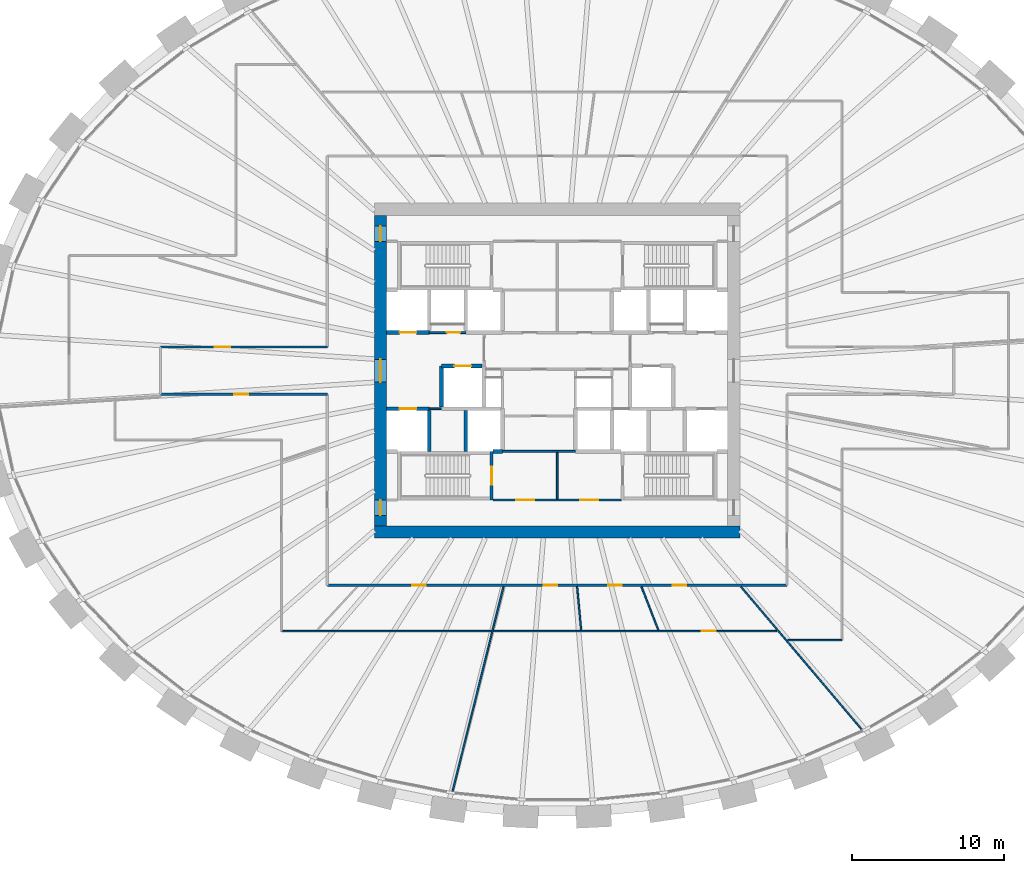
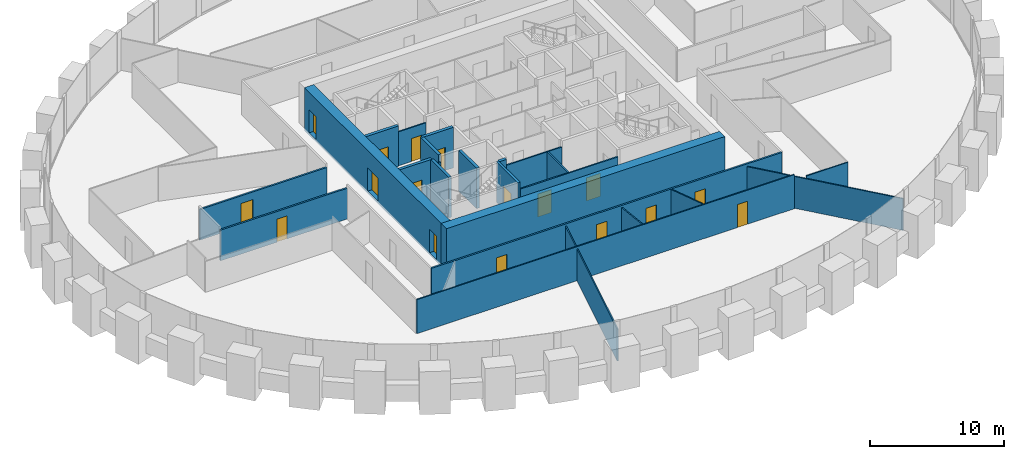
# One storey, part 6 of 10: 24 walls, 17 doors, 17 openings.
"""IFC4 building model written with IfcOpenShell, lengths in metres."""

from ifc_helpers import new_model, si_unit, direction, frame, frame_2d, origin, place, context, subcontext, project, spatial, rectangle, extrude, source, transform, mapped, material, layer, layer_set, type_object, element, fill, save


model = new_model("IFC4")

# Units and contexts
model_context = context("Model", 3, precision=1e-05, world=origin(), true_north=direction((0.0, 1.0)))
body_context = subcontext(model_context, "Body", "Model", "MODEL_VIEW")
ifc_project = project(units=[si_unit("LENGTHUNIT", "METRE"), si_unit("AREAUNIT", "SQUARE_METRE"), si_unit("VOLUMEUNIT", "CUBIC_METRE"), si_unit("PLANEANGLEUNIT", "RADIAN"), si_unit("MASSUNIT", "GRAM", prefix="KILO")], contexts=[model_context])

# Site, building, storey
site_placement = place(None, origin())
site = spatial("IfcSite", under=ifc_project, at=site_placement, CompositionType="ELEMENT")
building_placement = place(site_placement, origin())
building = spatial("IfcBuilding", under=site, at=building_placement, Name="Embergate Tower", CompositionType="ELEMENT")
storey_placement = place(building_placement, frame((0.0, 0.0, 156.0)))
storey = spatial("IfcBuildingStorey", under=building, at=storey_placement, Name="L34", CompositionType="ELEMENT", Elevation=156.0)

# Wall
ifc_material_1 = material(Name="Concrete C70", Category="concrete")
ifc_layer_1 = layer(ifc_material_1, 0.800048828125)
ifc_layer_set_1 = layer_set([ifc_layer_1], Name="Concrete C70")
wall_type_1 = type_object("IfcWallType", Name="Core outer wall C70 800", PredefinedType="SHEAR", material=ifc_layer_set_1)
shared_shape_1 = source(origin(), body_context, "Body", "SweptSolid", [
    extrude(rectangle(XDim=24.0, YDim=0.800048828125, at=frame_2d((12.0, 0.0))), origin(), (0.0, 0.0, 1.0), 3.89990234375),
])
wall_1_placement = place(storey_placement, frame((-12.0, -10.60009765625, -0.199951171875), z_axis=(0.0, 0.0, 1.0), x_axis=(1.0, 0.0, 0.0)))
element("IfcWall", 1, at=wall_1_placement, inside=storey, type_object=wall_type_1, Name="CW-L34-S", PredefinedType="SHEAR", context=body_context, shape_type="MappedRepresentation", body=[
    mapped(shared_shape_1, transform((0.0, 0.0, 0.0))),
])

# Wall, openings, doors
shared_shape_2 = source(origin(), body_context, "Body", "SweptSolid", [
    extrude(rectangle(XDim=20.39990234375, YDim=0.800048828125, at=frame_2d((10.199951171875, 0.0))), origin(), (0.0, 0.0, 1.0), 3.89990234375),
])
wall_2_placement = place(storey_placement, frame((-11.60009765625, -10.199951171875, -0.199951171875), z_axis=(0.0, 0.0, 1.0), x_axis=(0.0, 1.0, 0.0)))
wall_2 = element("IfcWall", 2, at=wall_2_placement, inside=storey, type_object=wall_type_1, Name="CW-L34-W", PredefinedType="SHEAR", context=body_context, shape_type="MappedRepresentation", body=[
    mapped(shared_shape_2, transform((0.0, 0.0, 0.0))),
])
shared_shape_3 = source(origin(), body_context, "Body", "SweptSolid", [
    extrude(rectangle(XDim=1.0, YDim=2.10009765625, at=frame_2d((0.5, 1.050048828125))), frame((0.0, 0.409912109375, 0.0), z_axis=(0.0, -1.0, 0.0), x_axis=(1.0, 0.0, 0.0)), (0.0, 0.0, 1.0), 0.820068359375),
])
opening_1_placement = place(wall_2_placement, frame((18.699951171875, 0.0, 0.199951171875)))
opening_1 = element("IfcOpeningElement", 3, at=opening_1_placement, cuts=wall_2, Name="Opening IF-1d", PredefinedType="OPENING", context=body_context, shape_type="MappedRepresentation", body=[
    mapped(shared_shape_3, transform((0.0, 0.0, 0.0))),
])
opening_2_placement = place(wall_2_placement, frame((0.699951171875, 0.0, 0.199951171875)))
opening_2 = element("IfcOpeningElement", 4, at=opening_2_placement, cuts=wall_2, Name="Opening IF-1d", PredefinedType="OPENING", context=body_context, shape_type="MappedRepresentation", body=[
    mapped(shared_shape_3, transform((0.0, 0.0, 0.0))),
])
shared_shape_4 = source(origin(), body_context, "Body", "SweptSolid", [
    extrude(rectangle(XDim=1.5, YDim=2.10009765625, at=frame_2d((0.75, 1.050048828125))), frame((0.0, 0.409912109375, 0.0), z_axis=(0.0, -1.0, 0.0), x_axis=(1.0, 0.0, 0.0)), (0.0, 0.0, 1.0), 0.820068359375),
])
opening_3_placement = place(wall_2_placement, frame((9.449951171875, 0.0, 0.199951171875)))
opening_3 = element("IfcOpeningElement", 5, at=opening_3_placement, cuts=wall_2, Name="Opening IF-3", PredefinedType="OPENING", context=body_context, shape_type="MappedRepresentation", body=[
    mapped(shared_shape_4, transform((0.0, 0.0, 0.0))),
])
ifc_material_2 = material(Name="Lobby fire door pair 1500")
door_type_1 = type_object("IfcDoorType", Name="Lobby fire door pair 1500", OperationType="DOUBLE_DOOR_SINGLE_SWING", PredefinedType="DOOR", material=ifc_material_2)
shared_shape_5 = source(origin(), body_context, "Body", "SweptSolid", [
    extrude(rectangle(XDim=1.5, YDim=2.10009765625, at=frame_2d((0.75, 1.050048828125))), frame((0.0, 0.02490234375, 0.0), z_axis=(0.0, -1.0, 0.0), x_axis=(1.0, 0.0, 0.0)), (0.0, 0.0, 1.0), 0.050048828125),
])
door_1_placement = place(opening_3_placement, origin())
door_1 = element("IfcDoor", 6, at=door_1_placement, inside=storey, type_object=door_type_1, Name="IF-3 door", OperationType="DOUBLE_DOOR_SINGLE_SWING", OverallHeight=2.10009765625, OverallWidth=1.5, PredefinedType="DOOR", context=body_context, shape_type="MappedRepresentation", body=[
    mapped(shared_shape_5, transform((0.0, 0.0, 0.0))),
])
fill(opening_3, door_1)
ifc_material_3 = material(Name="Escape fire door 1000")
door_type_2 = type_object("IfcDoorType", Name="Escape fire door 1000", OperationType="SINGLE_SWING_LEFT", PredefinedType="DOOR", material=ifc_material_3)
shared_shape_6 = source(origin(), body_context, "Body", "SweptSolid", [
    extrude(rectangle(XDim=1.0, YDim=2.10009765625, at=frame_2d((0.5, 1.050048828125))), frame((0.0, 0.02490234375, 0.0), z_axis=(0.0, -1.0, 0.0), x_axis=(1.0, 0.0, 0.0)), (0.0, 0.0, 1.0), 0.050048828125),
])
door_2_placement = place(opening_1_placement, origin())
door_2 = element("IfcDoor", 7, at=door_2_placement, inside=storey, type_object=door_type_2, Name="IF-1 door", OperationType="SINGLE_SWING_LEFT", OverallHeight=2.10009765625, OverallWidth=1.0, PredefinedType="DOOR", context=body_context, shape_type="MappedRepresentation", body=[
    mapped(shared_shape_6, transform((0.0, 0.0, 0.0))),
])
fill(opening_1, door_2)
door_3_placement = place(opening_2_placement, origin())
door_3 = element("IfcDoor", 8, at=door_3_placement, inside=storey, type_object=door_type_2, Name="IF-1 door", OperationType="SINGLE_SWING_LEFT", OverallHeight=2.10009765625, OverallWidth=1.0, PredefinedType="DOOR", context=body_context, shape_type="MappedRepresentation", body=[
    mapped(shared_shape_6, transform((0.0, 0.0, 0.0))),
])
fill(opening_2, door_3)

# Wall, opening, door
ifc_material_4 = material(Name="Concrete C50", Category="concrete")
ifc_layer_2 = layer(ifc_material_4, 0.25)
ifc_layer_set_2 = layer_set([ifc_layer_2], Name="Concrete C50")
wall_type_2 = type_object("IfcWallType", Name="Hoistway wall reinforced concrete 250", PredefinedType="SHEAR", material=ifc_layer_set_2)
shared_shape_7 = source(origin(), body_context, "Body", "SweptSolid", [
    extrude(rectangle(XDim=2.675048828125, YDim=0.25, at=frame_2d((1.33740234375, 0.0))), origin(), (0.0, 0.0, 1.0), 3.699951171875),
])
wall_3_placement = place(storey_placement, frame((-4.925048828125, 0.300048828125, 0.0), z_axis=(0.0, 0.0, 1.0), x_axis=(-1.0, 0.0, 0.0)))
wall_3 = element("IfcWall", 9, at=wall_3_placement, inside=storey, type_object=wall_type_2, Name="HW-1 wall", PredefinedType="SHEAR", context=body_context, shape_type="MappedRepresentation", body=[
    mapped(shared_shape_7, transform((0.0, 0.0, 0.0))),
])
shared_shape_8 = source(origin(), body_context, "Body", "SweptSolid", [
    extrude(rectangle(XDim=1.10009765625, YDim=2.10009765625, at=frame_2d((0.550048828125, 1.050048828125))), frame((0.0, 0.135009765625, 0.0), z_axis=(0.0, -1.0, 0.0), x_axis=(1.0, 0.0, 0.0)), (0.0, 0.0, 1.0), 0.27001953125),
])
opening_4_placement = place(wall_3_placement, frame((0.72509765625, 0.0, 0.0)))
opening_4 = element("IfcOpeningElement", 10, at=opening_4_placement, cuts=wall_3, Name="Opening LD", PredefinedType="OPENING", context=body_context, shape_type="MappedRepresentation", body=[
    mapped(shared_shape_8, transform((0.0, 0.0, 0.0))),
])
ifc_material_5 = material(Name="Landing door sliding 1100")
door_type_3 = type_object("IfcDoorType", Name="Landing door sliding 1100", OperationType="SLIDING_TO_LEFT", PredefinedType="DOOR", material=ifc_material_5)
shared_shape_9 = source(origin(), body_context, "Body", "SweptSolid", [
    extrude(rectangle(XDim=1.10009765625, YDim=2.10009765625, at=frame_2d((0.550048828125, 1.050048828125))), frame((0.0, 0.02490234375, 0.0), z_axis=(0.0, -1.0, 0.0), x_axis=(1.0, 0.0, 0.0)), (0.0, 0.0, 1.0), 0.050048828125),
])
door_4_placement = place(opening_4_placement, origin())
door_4 = element("IfcDoor", 11, at=door_4_placement, inside=storey, type_object=door_type_3, Name="LD door", OperationType="SLIDING_TO_RIGHT", OverallHeight=2.10009765625, OverallWidth=1.10009765625, PredefinedType="DOOR", context=body_context, shape_type="MappedRepresentation", body=[
    mapped(shared_shape_9, transform((0.0, 0.0, 0.0))),
])
fill(opening_4, door_4)

# Wall
wall_4_placement = place(storey_placement, frame((-7.60009765625, 0.300048828125, 0.0), z_axis=(0.0, 0.0, 1.0), x_axis=(0.0, -1.0, 0.0)))
element("IfcWall", 12, at=wall_4_placement, inside=storey, type_object=wall_type_2, Name="HW-1 wall", PredefinedType="SHEAR", context=body_context, shape_type="MappedRepresentation", body=[
    mapped(shared_shape_7, transform((0.0, 0.0, 0.0))),
])

# Wall, opening, door
ifc_layer_3 = layer(ifc_material_4, 0.199951171875)
ifc_layer_set_3 = layer_set([ifc_layer_3], Name="Concrete C50")
wall_type_3 = type_object("IfcWallType", Name="Stair enclosure wall reinforced concrete 250", PredefinedType="SHEAR", material=ifc_layer_set_3)
shared_shape_10 = source(origin(), body_context, "Body", "SweptSolid", [
    extrude(rectangle(XDim=3.199951171875, YDim=0.199951171875, at=frame_2d((1.60009765625, 0.0))), origin(), (0.0, 0.0, 1.0), 3.699951171875),
])
wall_5_placement = place(storey_placement, frame((-4.300048828125, -8.5, 0.0), z_axis=(0.0, 0.0, 1.0), x_axis=(0.0, 1.0, 0.0)))
wall_5 = element("IfcWall", 13, at=wall_5_placement, inside=storey, type_object=wall_type_3, Name="SE-1 wall", PredefinedType="SHEAR", context=body_context, shape_type="MappedRepresentation", body=[
    mapped(shared_shape_10, transform((0.0, 0.0, 0.0))),
])
shared_shape_11 = source(origin(), body_context, "Body", "SweptSolid", [
    extrude(rectangle(XDim=1.199951171875, YDim=2.10009765625, at=frame_2d((0.60009765625, 1.050048828125))), frame((0.0, 0.10986328125, 0.0), z_axis=(0.0, -1.0, 0.0), x_axis=(1.0, 0.0, 0.0)), (0.0, 0.0, 1.0), 0.219970703125),
])
opening_5_placement = place(wall_5_placement, frame((1.0, 0.0, 0.0)))
opening_5 = element("IfcOpeningElement", 14, at=opening_5_placement, cuts=wall_5, Name="Opening IF-2", PredefinedType="OPENING", context=body_context, shape_type="MappedRepresentation", body=[
    mapped(shared_shape_11, transform((0.0, 0.0, 0.0))),
])
ifc_material_6 = material(Name="Stair enclosure door 1200")
door_type_4 = type_object("IfcDoorType", Name="Stair enclosure door 1200", OperationType="SINGLE_SWING_LEFT", PredefinedType="DOOR", material=ifc_material_6)
shared_shape_12 = source(origin(), body_context, "Body", "SweptSolid", [
    extrude(rectangle(XDim=1.199951171875, YDim=2.10009765625, at=frame_2d((0.60009765625, 1.050048828125))), frame((0.0, 0.02490234375, 0.0), z_axis=(0.0, -1.0, 0.0), x_axis=(1.0, 0.0, 0.0)), (0.0, 0.0, 1.0), 0.050048828125),
])
door_5_placement = place(opening_5_placement, origin())
door_5 = element("IfcDoor", 15, at=door_5_placement, inside=storey, type_object=door_type_4, Name="IF-2 door", OperationType="SINGLE_SWING_LEFT", OverallHeight=2.10009765625, OverallWidth=1.199951171875, PredefinedType="DOOR", context=body_context, shape_type="MappedRepresentation", body=[
    mapped(shared_shape_12, transform((0.0, 0.0, 0.0))),
])
fill(opening_5, door_5)

# Wall, openings, doors
ifc_material_7 = material(Name="Core partition blockwork 120")
ifc_layer_4 = layer(ifc_material_7, 0.1201171875)
ifc_layer_set_4 = layer_set([ifc_layer_4], Name="Core partition blockwork 120")
wall_type_4 = type_object("IfcWallType", Name="Core partition blockwork 120", PredefinedType="PARTITIONING", material=ifc_layer_set_4)
shared_shape_13 = source(origin(), body_context, "Body", "SweptSolid", [
    extrude(rectangle(XDim=8.39990234375, YDim=0.1201171875, at=frame_2d((4.199951171875, 0.0))), origin(), (0.0, 0.0, 1.0), 3.10009765625),
])
wall_6_placement = place(storey_placement, frame((-4.199951171875, -8.5, 0.0), z_axis=(0.0, 0.0, 1.0), x_axis=(1.0, 0.0, 0.0)))
wall_6 = element("IfcWall", 16, at=wall_6_placement, inside=storey, type_object=wall_type_4, Name="IP-3 wall", PredefinedType="PARTITIONING", context=body_context, shape_type="MappedRepresentation", body=[
    mapped(shared_shape_13, transform((0.0, 0.0, 0.0))),
])
shared_shape_14 = source(origin(), body_context, "Body", "SweptSolid", [
    extrude(rectangle(XDim=1.199951171875, YDim=2.10009765625, at=frame_2d((0.60009765625, 1.050048828125))), frame((0.0, 0.070068359375, 0.0), z_axis=(0.0, -1.0, 0.0), x_axis=(1.0, 0.0, 0.0)), (0.0, 0.0, 1.0), 0.14013671875),
])
opening_6_placement = place(wall_6_placement, frame((1.5, 0.0, 0.0)))
opening_6 = element("IfcOpeningElement", 17, at=opening_6_placement, cuts=wall_6, Name="Opening IF-3f", PredefinedType="OPENING", context=body_context, shape_type="MappedRepresentation", body=[
    mapped(shared_shape_14, transform((0.0, 0.0, 0.0))),
])
opening_7_placement = place(wall_6_placement, frame((5.699951171875, 0.0, 0.0)))
opening_7 = element("IfcOpeningElement", 18, at=opening_7_placement, cuts=wall_6, Name="Opening IF-3f", PredefinedType="OPENING", context=body_context, shape_type="MappedRepresentation", body=[
    mapped(shared_shape_14, transform((0.0, 0.0, 0.0))),
])
ifc_material_8 = material(Name="Lobby fire door pair 1200")
door_type_5 = type_object("IfcDoorType", Name="Lobby fire door pair 1200", OperationType="DOUBLE_DOOR_SINGLE_SWING", PredefinedType="DOOR", material=ifc_material_8)
door_6_placement = place(opening_6_placement, origin())
door_6 = element("IfcDoor", 19, at=door_6_placement, inside=storey, type_object=door_type_5, Name="IF-3 door", OperationType="DOUBLE_DOOR_SINGLE_SWING", OverallHeight=2.10009765625, OverallWidth=1.199951171875, PredefinedType="DOOR", context=body_context, shape_type="MappedRepresentation", body=[
    mapped(shared_shape_12, transform((0.0, 0.0, 0.0))),
])
fill(opening_6, door_6)
door_7_placement = place(opening_7_placement, origin())
door_7 = element("IfcDoor", 20, at=door_7_placement, inside=storey, type_object=door_type_5, Name="IF-3 door", OperationType="DOUBLE_DOOR_SINGLE_SWING", OverallHeight=2.10009765625, OverallWidth=1.199951171875, PredefinedType="DOOR", context=body_context, shape_type="MappedRepresentation", body=[
    mapped(shared_shape_12, transform((0.0, 0.0, 0.0))),
])
fill(opening_7, door_7)

# Wall, opening, door
ifc_material_9 = material(Name="Corridor wall dry-lined 150")
ifc_layer_5 = layer(ifc_material_9, 0.14990234375)
ifc_layer_set_5 = layer_set([ifc_layer_5], Name="Corridor wall dry-lined 150")
wall_type_5 = type_object("IfcWallType", Name="Corridor wall dry-lined 150", PredefinedType="PARTITIONING", material=ifc_layer_set_5)
shared_shape_15 = source(origin(), body_context, "Body", "SweptSolid", [
    extrude(rectangle(XDim=10.949951171875, YDim=0.14990234375, at=frame_2d((5.47509765625, 0.0))), origin(), (0.0, 0.0, 1.0), 2.800048828125),
])
wall_7_placement = place(storey_placement, frame((-26.050048828125, -1.550048828125, 0.0), z_axis=(0.0, 0.0, 1.0), x_axis=(1.0, 0.0, 0.0)))
wall_7 = element("IfcWall", 21, at=wall_7_placement, inside=storey, type_object=wall_type_5, Name="IP-2 wall", PredefinedType="PARTITIONING", context=body_context, shape_type="MappedRepresentation", body=[
    mapped(shared_shape_15, transform((0.0, 0.0, 0.0))),
])
shared_shape_16 = source(origin(), body_context, "Body", "SweptSolid", [
    extrude(rectangle(XDim=0.89990234375, YDim=2.10009765625, at=frame_2d((0.449951171875, 1.050048828125))), frame((0.0, 0.0849609375, 0.0), z_axis=(0.0, -1.0, 0.0), x_axis=(1.0, 0.0, 0.0)), (0.0, 0.0, 1.0), 0.169921875),
])
opening_8_placement = place(wall_7_placement, frame((4.843017578125, 0.0, 0.0)))
opening_8 = element("IfcOpeningElement", 22, at=opening_8_placement, cuts=wall_7, Name="Opening IF-1c", PredefinedType="OPENING", context=body_context, shape_type="MappedRepresentation", body=[
    mapped(shared_shape_16, transform((0.0, 0.0, 0.0))),
])
ifc_material_10 = material(Name="Escape fire door 900")
door_type_6 = type_object("IfcDoorType", Name="Escape fire door 900", OperationType="SINGLE_SWING_LEFT", PredefinedType="DOOR", material=ifc_material_10)
shared_shape_17 = source(origin(), body_context, "Body", "SweptSolid", [
    extrude(rectangle(XDim=0.89990234375, YDim=2.10009765625, at=frame_2d((0.449951171875, 1.050048828125))), frame((0.0, 0.02490234375, 0.0), z_axis=(0.0, -1.0, 0.0), x_axis=(1.0, 0.0, 0.0)), (0.0, 0.0, 1.0), 0.050048828125),
])
door_8_placement = place(opening_8_placement, origin())
door_8 = element("IfcDoor", 23, at=door_8_placement, inside=storey, type_object=door_type_6, Name="IF-1 door", OperationType="SINGLE_SWING_LEFT", OverallHeight=2.10009765625, OverallWidth=0.89990234375, PredefinedType="DOOR", context=body_context, shape_type="MappedRepresentation", body=[
    mapped(shared_shape_17, transform((0.0, 0.0, 0.0))),
])
fill(opening_8, door_8)

wall_8_placement = place(storey_placement, frame((-15.10009765625, 1.550048828125, 0.0), z_axis=(0.0, 0.0, 1.0), x_axis=(-1.0, 0.0, 0.0)))
wall_8 = element("IfcWall", 24, at=wall_8_placement, inside=storey, type_object=wall_type_5, Name="IP-2 wall", PredefinedType="PARTITIONING", context=body_context, shape_type="MappedRepresentation", body=[
    mapped(shared_shape_15, transform((0.0, 0.0, 0.0))),
])
shared_shape_18 = source(origin(), body_context, "Body", "SweptSolid", [
    extrude(rectangle(XDim=1.0, YDim=2.10009765625, at=frame_2d((0.5, 1.050048828125))), frame((0.0, 0.0849609375, 0.0), z_axis=(0.0, -1.0, 0.0), x_axis=(1.0, 0.0, 0.0)), (0.0, 0.0, 1.0), 0.169921875),
])
opening_9_placement = place(wall_8_placement, frame((6.376953125, 0.0, 0.0)))
opening_9 = element("IfcOpeningElement", 25, at=opening_9_placement, cuts=wall_8, Name="Opening ID-2", PredefinedType="OPENING", context=body_context, shape_type="MappedRepresentation", body=[
    mapped(shared_shape_18, transform((0.0, 0.0, 0.0))),
])
ifc_material_11 = material(Name="Interior door 1000")
door_type_7 = type_object("IfcDoorType", Name="Interior door 1000", OperationType="SINGLE_SWING_LEFT", PredefinedType="DOOR", material=ifc_material_11)
door_9_placement = place(opening_9_placement, origin())
door_9 = element("IfcDoor", 26, at=door_9_placement, inside=storey, type_object=door_type_7, Name="ID-2 door", OperationType="SINGLE_SWING_LEFT", OverallHeight=2.10009765625, OverallWidth=1.0, PredefinedType="DOOR", context=body_context, shape_type="MappedRepresentation", body=[
    mapped(shared_shape_6, transform((0.0, 0.0, 0.0))),
])
fill(opening_9, door_9)

shared_shape_19 = source(origin(), body_context, "Body", "SweptSolid", [
    extrude(rectangle(XDim=2.800048828125, YDim=0.25, at=frame_2d((1.39990234375, 0.0))), origin(), (0.0, 0.0, 1.0), 3.699951171875),
])
wall_9_placement = place(storey_placement, frame((-11.199951171875, 2.5, 0.0), z_axis=(0.0, 0.0, 1.0), x_axis=(1.0, 0.0, 0.0)))
wall_9 = element("IfcWall", 27, at=wall_9_placement, inside=storey, type_object=wall_type_2, Name="HW-1 wall", PredefinedType="SHEAR", context=body_context, shape_type="MappedRepresentation", body=[
    mapped(shared_shape_19, transform((0.0, 0.0, 0.0))),
])
opening_10_placement = place(wall_9_placement, frame((0.85009765625, 0.0, 0.0)))
opening_10 = element("IfcOpeningElement", 28, at=opening_10_placement, cuts=wall_9, Name="Opening LD", PredefinedType="OPENING", context=body_context, shape_type="MappedRepresentation", body=[
    mapped(shared_shape_8, transform((0.0, 0.0, 0.0))),
])
door_10_placement = place(opening_10_placement, origin())
door_10 = element("IfcDoor", 29, at=door_10_placement, inside=storey, type_object=door_type_3, Name="LD door", OperationType="SLIDING_TO_RIGHT", OverallHeight=2.10009765625, OverallWidth=1.10009765625, PredefinedType="DOOR", context=body_context, shape_type="MappedRepresentation", body=[
    mapped(shared_shape_9, transform((0.0, 0.0, 0.0))),
])
fill(opening_10, door_10)

wall_10_placement = place(storey_placement, frame((-8.39990234375, -2.5, 0.0), z_axis=(0.0, 0.0, 1.0), x_axis=(-1.0, 0.0, 0.0)))
wall_10 = element("IfcWall", 30, at=wall_10_placement, inside=storey, type_object=wall_type_2, Name="HW-1 wall", PredefinedType="SHEAR", context=body_context, shape_type="MappedRepresentation", body=[
    mapped(shared_shape_19, transform((0.0, 0.0, 0.0))),
])
opening_11_placement = place(wall_10_placement, frame((0.85009765625, 0.0, 0.0)))
opening_11 = element("IfcOpeningElement", 31, at=opening_11_placement, cuts=wall_10, Name="Opening LD", PredefinedType="OPENING", context=body_context, shape_type="MappedRepresentation", body=[
    mapped(shared_shape_8, transform((0.0, 0.0, 0.0))),
])
door_11_placement = place(opening_11_placement, origin())
door_11 = element("IfcDoor", 32, at=door_11_placement, inside=storey, type_object=door_type_3, Name="LD door", OperationType="SLIDING_TO_RIGHT", OverallHeight=2.10009765625, OverallWidth=1.10009765625, PredefinedType="DOOR", context=body_context, shape_type="MappedRepresentation", body=[
    mapped(shared_shape_9, transform((0.0, 0.0, 0.0))),
])
fill(opening_11, door_11)

shared_shape_20 = source(origin(), body_context, "Body", "SweptSolid", [
    extrude(rectangle(XDim=2.39990234375, YDim=0.1201171875, at=frame_2d((1.199951171875, 0.0))), origin(), (0.0, 0.0, 1.0), 3.10009765625),
])
wall_11_placement = place(storey_placement, frame((-8.39990234375, 2.5, 0.0), z_axis=(0.0, 0.0, 1.0), x_axis=(1.0, 0.0, 0.0)))
wall_11 = element("IfcWall", 33, at=wall_11_placement, inside=storey, type_object=wall_type_4, Name="IP-3 wall", PredefinedType="PARTITIONING", context=body_context, shape_type="MappedRepresentation", body=[
    mapped(shared_shape_20, transform((0.0, 0.0, 0.0))),
])
shared_shape_21 = source(origin(), body_context, "Body", "SweptSolid", [
    extrude(rectangle(XDim=0.89990234375, YDim=2.10009765625, at=frame_2d((0.449951171875, 1.050048828125))), frame((0.0, 0.070068359375, 0.0), z_axis=(0.0, -1.0, 0.0), x_axis=(1.0, 0.0, 0.0)), (0.0, 0.0, 1.0), 0.14013671875),
])
opening_12_placement = place(wall_11_placement, frame((1.14990234375, 0.0, 0.0)))
opening_12 = element("IfcOpeningElement", 34, at=opening_12_placement, cuts=wall_11, Name="Opening ID-1", PredefinedType="OPENING", context=body_context, shape_type="MappedRepresentation", body=[
    mapped(shared_shape_21, transform((0.0, 0.0, 0.0))),
])
ifc_material_12 = material(Name="Interior door 900")
door_type_8 = type_object("IfcDoorType", Name="Interior door 900", OperationType="SINGLE_SWING_LEFT", PredefinedType="DOOR", material=ifc_material_12)
door_12_placement = place(opening_12_placement, origin())
door_12 = element("IfcDoor", 35, at=door_12_placement, inside=storey, type_object=door_type_8, Name="ID-1 door", OperationType="SINGLE_SWING_LEFT", OverallHeight=2.10009765625, OverallWidth=0.89990234375, PredefinedType="DOOR", context=body_context, shape_type="MappedRepresentation", body=[
    mapped(shared_shape_17, transform((0.0, 0.0, 0.0))),
])
fill(opening_12, door_12)

# Walls
shared_shape_22 = source(origin(), body_context, "Body", "SweptSolid", [
    extrude(rectangle(XDim=0.599853515625, YDim=0.25, at=frame_2d((0.2998046875, 0.0))), origin(), (0.0, 0.0, 1.0), 3.699951171875),
])
wall_12_placement = place(storey_placement, frame((-4.199951171875, -5.300048828125, 0.0), z_axis=(0.0, 0.0, 1.0), x_axis=(1.0, 0.0, 0.0)))
element("IfcWall", 36, at=wall_12_placement, inside=storey, type_object=wall_type_2, Name="HW-1 wall", PredefinedType="SHEAR", context=body_context, shape_type="MappedRepresentation", body=[
    mapped(shared_shape_22, transform((0.0, 0.0, 0.0))),
])
shared_shape_23 = source(origin(), body_context, "Body", "SweptSolid", [
    extrude(rectangle(XDim=3.079833984375, YDim=0.1201171875, at=frame_2d((1.5400390625, 0.0))), origin(), (0.0, 0.0, 1.0), 3.10009765625),
])
wall_13_placement = place(storey_placement, frame((0.0, -8.43994140625, 0.0), z_axis=(0.0, 0.0, 1.0), x_axis=(0.0, 1.0, 0.0)))
element("IfcWall", 37, at=wall_13_placement, inside=storey, type_object=wall_type_4, Name="IP-3 wall", PredefinedType="PARTITIONING", context=body_context, shape_type="MappedRepresentation", body=[
    mapped(shared_shape_23, transform((0.0, 0.0, 0.0))),
])
shared_shape_24 = source(origin(), body_context, "Body", "SweptSolid", [
    extrude(rectangle(XDim=4.800048828125, YDim=0.1201171875, at=frame_2d((2.39990234375, 0.0))), origin(), (0.0, 0.0, 1.0), 3.10009765625),
])
wall_14_placement = place(storey_placement, frame((1.199951171875, -5.300048828125, 0.0), z_axis=(0.0, 0.0, 1.0), x_axis=(-1.0, 0.0, 0.0)))
element("IfcWall", 38, at=wall_14_placement, inside=storey, type_object=wall_type_4, Name="IP-3 wall", PredefinedType="PARTITIONING", context=body_context, shape_type="MappedRepresentation", body=[
    mapped(shared_shape_24, transform((0.0, 0.0, 0.0))),
])
shared_shape_25 = source(origin(), body_context, "Body", "SweptSolid", [
    extrude(rectangle(XDim=2.671142578125, YDim=0.25, at=frame_2d((1.33544921875, 0.0))), origin(), (0.0, 0.0, 1.0), 3.699951171875),
])
for number, where, z_axis, x_axis, name in (
    (39, (-8.39990234375, -5.298095703125, 0.0), (0.0, 0.0, 1.0), (0.0, 1.0, 0.0), "HW-1 wall"),
    (40, (-6.0, -2.626953125, 0.0), (0.0, 0.0, 1.0), (0.0, -1.0, 0.0), "HW-1 wall"),
):
    element("IfcWall", number, at=place(storey_placement, frame(where, z_axis=z_axis, x_axis=x_axis)), inside=storey, type_object=wall_type_2, Name=name, PredefinedType="SHEAR", context=body_context, shape_type="MappedRepresentation", body=[
        mapped(shared_shape_25, transform((0.0, 0.0, 0.0))),
    ])
shared_shape_26 = source(origin(), body_context, "Body", "SweptSolid", [
    extrude(rectangle(XDim=0.7958984375, YDim=0.1201171875, at=frame_2d((0.39794921875, 0.0))), origin(), (0.0, 0.0, 1.0), 3.10009765625),
])
wall_15_placement = place(storey_placement, frame((-8.39794921875, -2.5, 0.0), z_axis=(0.0, 0.0, 1.0), x_axis=(1.0, 0.0, 0.0)))
element("IfcWall", 41, at=wall_15_placement, inside=storey, type_object=wall_type_4, Name="IP-3 wall", PredefinedType="PARTITIONING", context=body_context, shape_type="MappedRepresentation", body=[
    mapped(shared_shape_26, transform((0.0, 0.0, 0.0))),
])
ifc_material_13 = material(Name="Partition dry-lined 100 wet")
ifc_layer_6 = layer(ifc_material_13, 0.10009765625)
ifc_layer_set_6 = layer_set([ifc_layer_6], Name="Partition dry-lined 100 wet")
wall_type_6 = type_object("IfcWallType", Name="Partition dry-lined 100 wet", PredefinedType="PLUMBINGWALL", material=ifc_layer_set_6)
shared_shape_27 = source(origin(), body_context, "Body", "SweptSolid", [
    extrude(rectangle(XDim=13.936279296875, YDim=0.10009765625, at=frame_2d((6.96826171875, 0.0))), origin(), (0.0, 0.0, 1.0), 2.89990234375),
])
wall_16_placement = place(storey_placement, frame((-3.52490234375, -14.18701171875, 0.0), z_axis=(0.0, 0.0, 1.0), x_axis=(-0.241175138203, -0.970481608642, 0.0)))
element("IfcWall", 42, at=wall_16_placement, inside=storey, type_object=wall_type_6, Name="IP-1 wall", PredefinedType="PLUMBINGWALL", context=body_context, shape_type="MappedRepresentation", body=[
    mapped(shared_shape_27, transform((0.0, 0.0, 0.0))),
])
shared_shape_28 = source(origin(), body_context, "Body", "SweptSolid", [
    extrude(rectangle(XDim=2.88720703125, YDim=0.10009765625, at=frame_2d((1.443603515625, 0.0))), origin(), (0.0, 0.0, 1.0), 2.89990234375),
])
wall_17_placement = place(storey_placement, frame((1.30908203125, -14.175048828125, 0.0), z_axis=(0.0, 0.0, 1.0), x_axis=(0.0920833196, -0.995751305423, 0.0)))
element("IfcWall", 43, at=wall_17_placement, inside=storey, type_object=wall_type_6, Name="IP-1 wall", PredefinedType="PLUMBINGWALL", context=body_context, shape_type="MappedRepresentation", body=[
    mapped(shared_shape_28, transform((0.0, 0.0, 0.0))),
])
shared_shape_29 = source(origin(), body_context, "Body", "SweptSolid", [
    extrude(rectangle(XDim=12.37109375, YDim=0.10009765625, at=frame_2d((6.185546875, 0.0))), origin(), (0.0, 0.0, 1.0), 2.89990234375),
])
wall_18_placement = place(storey_placement, frame((20.077880859375, -23.635986328125, 0.0), z_axis=(0.0, 0.0, 1.0), x_axis=(-0.647375129587, 0.762171530295, 0.0)))
element("IfcWall", 44, at=wall_18_placement, inside=storey, type_object=wall_type_6, Name="IP-1 wall", PredefinedType="PLUMBINGWALL", context=body_context, shape_type="MappedRepresentation", body=[
    mapped(shared_shape_29, transform((0.0, 0.0, 0.0))),
])

# Wall, openings, doors
shared_shape_30 = source(origin(), body_context, "Body", "SweptSolid", [
    extrude(rectangle(XDim=30.2001953125, YDim=0.14990234375, at=frame_2d((15.10009765625, 0.0))), origin(), (0.0, 0.0, 1.0), 3.10009765625),
])
wall_19_placement = place(storey_placement, frame((15.10009765625, -14.10009765625, 0.0), z_axis=(0.0, 0.0, 1.0), x_axis=(-1.0, 0.0, 0.0)))
wall_19 = element("IfcWall", 45, at=wall_19_placement, inside=storey, type_object=wall_type_5, Name="IP-2 wall", PredefinedType="PARTITIONING", context=body_context, shape_type="MappedRepresentation", body=[
    mapped(shared_shape_30, transform((0.0, 0.0, 0.0))),
])
opening_13_placement = place(wall_19_placement, frame((23.72900390625, 0.0, 0.0)))
opening_13 = element("IfcOpeningElement", 46, at=opening_13_placement, cuts=wall_19, Name="Opening IF-1c", PredefinedType="OPENING", context=body_context, shape_type="MappedRepresentation", body=[
    mapped(shared_shape_16, transform((0.0, 0.0, 0.0))),
])
opening_14_placement = place(wall_19_placement, frame((15.089111328125, 0.0, 0.0)))
opening_14 = element("IfcOpeningElement", 47, at=opening_14_placement, cuts=wall_19, Name="Opening IF-1c", PredefinedType="OPENING", context=body_context, shape_type="MappedRepresentation", body=[
    mapped(shared_shape_16, transform((0.0, 0.0, 0.0))),
])
opening_15_placement = place(wall_19_placement, frame((10.844970703125, 0.0, 0.0)))
opening_15 = element("IfcOpeningElement", 48, at=opening_15_placement, cuts=wall_19, Name="Opening IF-1c", PredefinedType="OPENING", context=body_context, shape_type="MappedRepresentation", body=[
    mapped(shared_shape_16, transform((0.0, 0.0, 0.0))),
])
opening_16_placement = place(wall_19_placement, frame((6.60888671875, 0.0, 0.0)))
opening_16 = element("IfcOpeningElement", 49, at=opening_16_placement, cuts=wall_19, Name="Opening IF-1c", PredefinedType="OPENING", context=body_context, shape_type="MappedRepresentation", body=[
    mapped(shared_shape_16, transform((0.0, 0.0, 0.0))),
])
door_13_placement = place(opening_13_placement, origin())
door_13 = element("IfcDoor", 50, at=door_13_placement, inside=storey, type_object=door_type_6, Name="IF-1 door", OperationType="SINGLE_SWING_RIGHT", OverallHeight=2.10009765625, OverallWidth=0.89990234375, PredefinedType="DOOR", context=body_context, shape_type="MappedRepresentation", body=[
    mapped(shared_shape_17, transform((0.0, 0.0, 0.0))),
])
fill(opening_13, door_13)
door_14_placement = place(opening_14_placement, origin())
door_14 = element("IfcDoor", 51, at=door_14_placement, inside=storey, type_object=door_type_6, Name="IF-1 door", OperationType="SINGLE_SWING_RIGHT", OverallHeight=2.10009765625, OverallWidth=0.89990234375, PredefinedType="DOOR", context=body_context, shape_type="MappedRepresentation", body=[
    mapped(shared_shape_17, transform((0.0, 0.0, 0.0))),
])
fill(opening_14, door_14)
door_15_placement = place(opening_15_placement, origin())
door_15 = element("IfcDoor", 52, at=door_15_placement, inside=storey, type_object=door_type_6, Name="IF-1 door", OperationType="SINGLE_SWING_LEFT", OverallHeight=2.10009765625, OverallWidth=0.89990234375, PredefinedType="DOOR", context=body_context, shape_type="MappedRepresentation", body=[
    mapped(shared_shape_17, transform((0.0, 0.0, 0.0))),
])
fill(opening_15, door_15)
door_16_placement = place(opening_16_placement, origin())
door_16 = element("IfcDoor", 53, at=door_16_placement, inside=storey, type_object=door_type_6, Name="IF-1 door", OperationType="SINGLE_SWING_LEFT", OverallHeight=2.10009765625, OverallWidth=0.89990234375, PredefinedType="DOOR", context=body_context, shape_type="MappedRepresentation", body=[
    mapped(shared_shape_17, transform((0.0, 0.0, 0.0))),
])
fill(opening_16, door_16)

# Wall, opening, door
ifc_material_14 = material(Name="Partition dry-lined 100")
ifc_layer_7 = layer(ifc_material_14, 0.10009765625)
ifc_layer_set_7 = layer_set([ifc_layer_7], Name="Partition dry-lined 100")
wall_type_7 = type_object("IfcWallType", Name="Partition dry-lined 100", PredefinedType="PARTITIONING", material=ifc_layer_set_7)
shared_shape_31 = source(origin(), body_context, "Body", "SweptSolid", [
    extrude(rectangle(XDim=32.51806640625, YDim=0.10009765625, at=frame_2d((16.259033203125, 0.0))), origin(), (0.0, 0.0, 1.0), 3.10009765625),
])
wall_20_placement = place(storey_placement, frame((14.41796875, -17.10009765625, 0.0), z_axis=(0.0, 0.0, 1.0), x_axis=(-1.0, 0.0, 0.0)))
wall_20 = element("IfcWall", 54, at=wall_20_placement, inside=storey, type_object=wall_type_7, Name="IP-1 wall", PredefinedType="PARTITIONING", context=body_context, shape_type="MappedRepresentation", body=[
    mapped(shared_shape_31, transform((0.0, 0.0, 0.0))),
])
shared_shape_32 = source(origin(), body_context, "Body", "SweptSolid", [
    extrude(rectangle(XDim=0.89990234375, YDim=2.10009765625, at=frame_2d((0.449951171875, 1.050048828125))), frame((0.0, 0.06005859375, 0.0), z_axis=(0.0, -1.0, 0.0), x_axis=(1.0, 0.0, 0.0)), (0.0, 0.0, 1.0), 0.1201171875),
])
opening_17_placement = place(wall_20_placement, frame((4.007080078125, 0.0, 0.0)))
opening_17 = element("IfcOpeningElement", 55, at=opening_17_placement, cuts=wall_20, Name="Opening ID-1", PredefinedType="OPENING", context=body_context, shape_type="MappedRepresentation", body=[
    mapped(shared_shape_32, transform((0.0, 0.0, 0.0))),
])
door_17_placement = place(opening_17_placement, origin())
door_17 = element("IfcDoor", 56, at=door_17_placement, inside=storey, type_object=door_type_8, Name="ID-1 door", OperationType="SINGLE_SWING_RIGHT", OverallHeight=2.10009765625, OverallWidth=0.89990234375, PredefinedType="DOOR", context=body_context, shape_type="MappedRepresentation", body=[
    mapped(shared_shape_17, transform((0.0, 0.0, 0.0))),
])
fill(opening_17, door_17)

# Walls
shared_shape_33 = source(origin(), body_context, "Body", "SweptSolid", [
    extrude(rectangle(XDim=3.047119140625, YDim=0.10009765625, at=frame_2d((1.5234375, 0.0))), origin(), (0.0, 0.0, 1.0), 3.10009765625),
])
wall_21_placement = place(storey_placement, frame((5.534912109375, -14.193115234375, 0.0), z_axis=(0.0, 0.0, 1.0), x_axis=(0.363350839993, -0.931652385322, 0.0)))
element("IfcWall", 57, at=wall_21_placement, inside=storey, type_object=wall_type_6, Name="IP-1 wall", PredefinedType="PLUMBINGWALL", context=body_context, shape_type="MappedRepresentation", body=[
    mapped(shared_shape_33, transform((0.0, 0.0, 0.0))),
])
shared_shape_34 = source(origin(), body_context, "Body", "SweptSolid", [
    extrude(rectangle(XDim=3.555908203125, YDim=0.10009765625, at=frame_2d((1.77783203125, 0.0))), origin(), (0.0, 0.0, 1.0), 3.10009765625),
])
wall_22_placement = place(storey_placement, frame((18.699951171875, -17.699951171875, 0.0), z_axis=(0.0, 0.0, 1.0), x_axis=(-1.0, 0.0, 0.0)))
element("IfcWall", 58, at=wall_22_placement, inside=storey, type_object=wall_type_7, Name="IP-1 wall", PredefinedType="PARTITIONING", context=body_context, shape_type="MappedRepresentation", body=[
    mapped(shared_shape_34, transform((0.0, 0.0, 0.0))),
])

save(model, "model.ifc")
